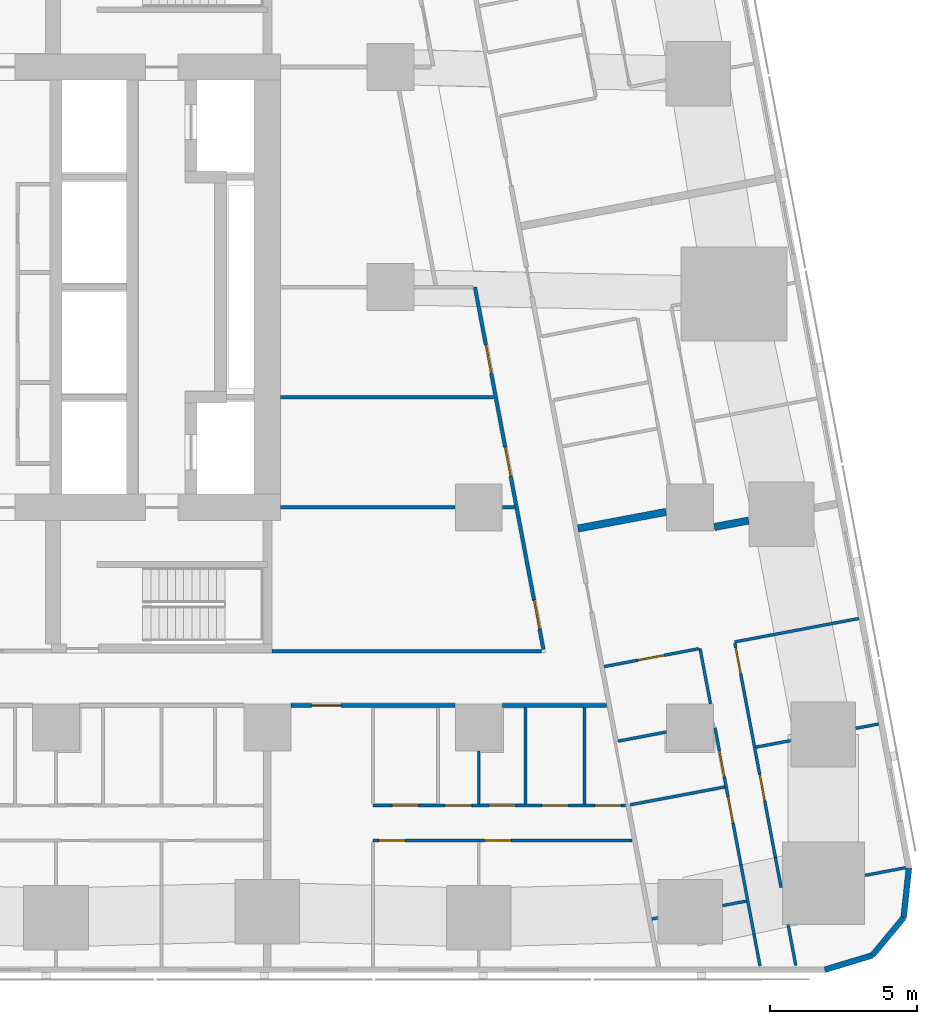
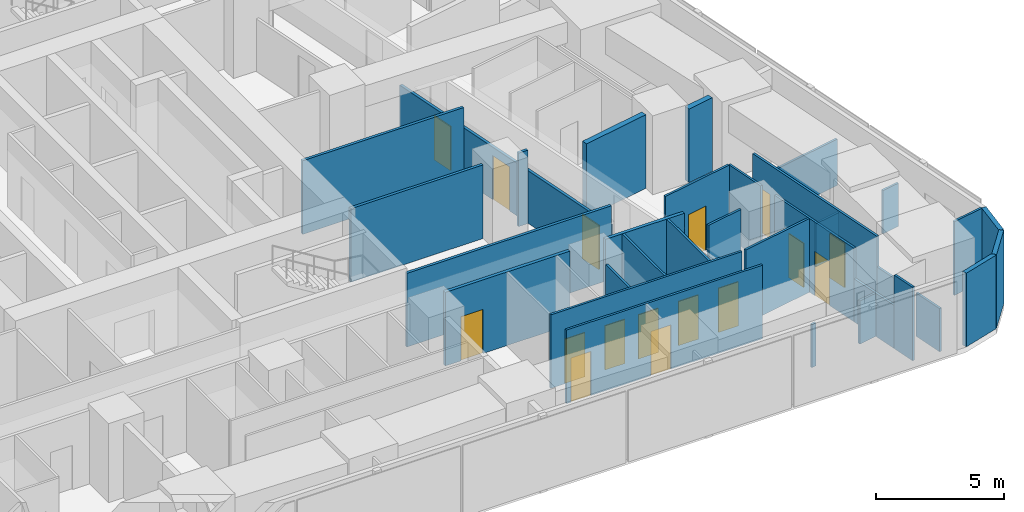
# One storey, part 6 of 15: 33 walls, 16 doors, 16 openings.
"""IFC4 building model written with IfcOpenShell, lengths in metres."""

from ifc_helpers import new_model, si_unit, direction, frame, frame_2d, origin, place, context, subcontext, project, spatial, rectangle, extrude, material, layer, layer_set, type_object, element, fill, save


model = new_model("IFC4")

# Units and contexts
model_context = context("Model", 3, precision=1e-05, world=origin(), true_north=direction((0.0, 1.0)))
body_context = subcontext(model_context, "Body", "Model", "MODEL_VIEW")
ifc_project = project(units=[si_unit("LENGTHUNIT", "METRE"), si_unit("AREAUNIT", "SQUARE_METRE"), si_unit("VOLUMEUNIT", "CUBIC_METRE"), si_unit("PLANEANGLEUNIT", "RADIAN"), si_unit("MASSUNIT", "GRAM", prefix="KILO")], contexts=[model_context])

# Site, building, storey
site_placement = place(None, origin())
site = spatial("IfcSite", under=ifc_project, at=site_placement, CompositionType="ELEMENT")
building_placement = place(site_placement, origin())
building = spatial("IfcBuilding", under=site, at=building_placement, Name="Sheger Commons Tower", CompositionType="ELEMENT")
storey_placement = place(building_placement, frame((0.0, 0.0, 81.64990234375)))
storey = spatial("IfcBuildingStorey", under=building, at=storey_placement, Name="L20", CompositionType="ELEMENT", Elevation=81.64990234375)

# Wall
ifc_material_1 = material(Name="Hollow concrete block masonry, skimmed both sides", Category="masonry")
ifc_layer_1 = layer(ifc_material_1, 0.14990234375)
ifc_layer_set_1 = layer_set([ifc_layer_1], Name="CORRIDOR WALL 150")
wall_type_1 = type_object("IfcWallType", Name="CORRIDOR WALL 150", PredefinedType="SOLIDWALL", material=ifc_layer_set_1)
wall_1_placement = place(storey_placement, frame((40.35595703125, 8.25, 0.0), z_axis=(0.0, 0.0, 1.0), x_axis=(-1.0, 0.0, 0.0)))
element("IfcWall", 1, at=wall_1_placement, inside=storey, type_object=wall_type_1, Name="Corridor wall L20", PredefinedType="SOLIDWALL", context=body_context, shape_type="SweptSolid", body=[
    extrude(rectangle(XDim=3.554931640625, YDim=0.14990234375, at=frame_2d((1.77734375, 0.0))), origin(), (0.0, 0.0, 1.0), 3.5),
])

# Wall, opening, door
wall_2_placement = place(storey_placement, frame((35.198974609375, 8.25, 0.0), z_axis=(0.0, 0.0, 1.0), x_axis=(-1.0, 0.0, 0.0)))
wall_2 = element("IfcWall", 2, at=wall_2_placement, inside=storey, type_object=wall_type_1, Name="Corridor wall L20", PredefinedType="SOLIDWALL", context=body_context, shape_type="SweptSolid", body=[
    extrude(rectangle(XDim=5.597900390625, YDim=0.14990234375, at=frame_2d((2.798828125, 0.0))), origin(), (0.0, 0.0, 1.0), 3.5),
])
opening_1_placement = place(wall_2_placement, frame((3.89892578125, 0.0, 0.0)))
opening_1 = element("IfcOpeningElement", 3, at=opening_1_placement, cuts=wall_2, Name="Opening D1", PredefinedType="OPENING", context=body_context, shape_type="SweptSolid", body=[
    extrude(rectangle(XDim=1.0, YDim=2.10009765625, at=frame_2d((0.5, 1.050048828125))), frame((0.0, 0.0849609375, 0.0), z_axis=(0.0, -1.0, 0.0), x_axis=(1.0, 0.0, 0.0)), (0.0, 0.0, 1.0), 0.169921875),
])
ifc_material_2 = material(Name="Steel door set, fire rated", Category="steel")
door_type_1 = type_object("IfcDoorType", Name="FLAT ENTRANCE DOOR 1000x2100", OperationType="NOTDEFINED", PredefinedType="DOOR", material=ifc_material_2)
door_1_placement = place(opening_1_placement, origin())
door_1 = element("IfcDoor", 4, at=door_1_placement, inside=storey, type_object=door_type_1, Name="Flat entrance door", OperationType="SINGLE_SWING_RIGHT", OverallHeight=2.10009765625, OverallWidth=1.0, PredefinedType="DOOR", context=body_context, shape_type="SweptSolid", body=[
    extrude(rectangle(XDim=1.0, YDim=2.10009765625, at=frame_2d((0.5, 1.050048828125))), frame((0.0, 0.02490234375, 0.0), z_axis=(0.0, -1.0, 0.0), x_axis=(1.0, 0.0, 0.0)), (0.0, 0.0, 1.0), 0.050048828125),
])
fill(opening_1, door_1)

# Walls
ifc_material_3 = material(Name="Dense concrete block masonry, plastered both sides (separating wall between flats)", Category="masonry")
ifc_layer_2 = layer(ifc_material_3, 0.25)
ifc_layer_set_2 = layer_set([ifc_layer_2], Name="DEMISING WALL 250")
wall_type_2 = type_object("IfcWallType", Name="DEMISING WALL 250", PredefinedType="SOLIDWALL", material=ifc_layer_set_2)
wall_3_placement = place(storey_placement, frame((45.18994140625, 14.550048828125, 0.0), z_axis=(0.0, 0.0, 1.0), x_axis=(-0.982666604435, -0.185381618634, 0.0)))
element("IfcWall", 5, at=wall_3_placement, inside=storey, type_object=wall_type_2, Name="Demising wall L20", PredefinedType="SOLIDWALL", context=body_context, shape_type="SweptSolid", body=[
    extrude(rectangle(XDim=1.1865234375, YDim=0.25, at=frame_2d((0.59326171875, 0.0))), origin(), (0.0, 0.0, 1.0), 3.5),
])
wall_4_placement = place(storey_placement, frame((42.3759765625, 14.843994140625, 0.0), z_axis=(0.0, 0.0, 1.0), x_axis=(-0.982636286056, -0.185542257522, 0.0)))
element("IfcWall", 6, at=wall_4_placement, inside=storey, type_object=wall_type_2, Name="Demising wall L20", PredefinedType="SOLIDWALL", context=body_context, shape_type="SweptSolid", body=[
    extrude(rectangle(XDim=3.044921875, YDim=0.25, at=frame_2d((1.5224609375, 0.0))), origin(), (0.0, 0.0, 1.0), 3.5),
])
ifc_material_4 = material(Name="Rendered concrete block masonry, dark grey", Category="masonry")
ifc_layer_3 = layer(ifc_material_4, 0.199951171875)
ifc_layer_set_3 = layer_set([ifc_layer_3], Name="FACADE WALL 200")
wall_type_3 = type_object("IfcWallType", Name="FACADE WALL 200", PredefinedType="SOLIDWALL", material=ifc_layer_set_3)
wall_5_placement = place(storey_placement, frame((47.791015625, -0.75, 0.0), z_axis=(0.0, 0.0, 1.0), x_axis=(0.957455232626, 0.288581838509, 0.0)))
element("IfcWall", 7, at=wall_5_placement, inside=storey, type_object=wall_type_3, Name="Facade wall L20", PredefinedType="SOLIDWALL", context=body_context, shape_type="SweptSolid", body=[
    extrude(rectangle(XDim=1.687744140625, YDim=0.199951171875, at=frame_2d((0.84375, 0.0))), origin(), (0.0, 0.0, 1.0), 3.5),
])
wall_6_placement = place(storey_placement, frame((49.406982421875, -0.262939453125, 0.0), z_axis=(0.0, 0.0, 1.0), x_axis=(0.638042593423, 0.770001070764, 0.0)))
element("IfcWall", 8, at=wall_6_placement, inside=storey, type_object=wall_type_3, Name="Facade wall L20", PredefinedType="SOLIDWALL", context=body_context, shape_type="SweptSolid", body=[
    extrude(rectangle(XDim=1.672607421875, YDim=0.199951171875, at=frame_2d((0.83642578125, 0.0))), origin(), (0.0, 0.0, 1.0), 3.5),
])
wall_7_placement = place(storey_placement, frame((50.47412109375, 1.02490234375, 0.0), z_axis=(0.0, 0.0, 1.0), x_axis=(0.106047815515, 0.994361031429, 0.0)))
element("IfcWall", 9, at=wall_7_placement, inside=storey, type_object=wall_type_3, Name="Facade wall L20", PredefinedType="SOLIDWALL", context=body_context, shape_type="SweptSolid", body=[
    extrude(rectangle(XDim=1.6875, YDim=0.199951171875, at=frame_2d((0.84375, 0.0))), origin(), (0.0, 0.0, 1.0), 3.5),
])

# Wall, openings, doors
ifc_material_5 = material(Name="Gypsum board on steel studs", Category="steel")
ifc_layer_4 = layer(ifc_material_5, 0.10009765625)
ifc_layer_set_4 = layer_set([ifc_layer_4], Name="PARTITION 100")
wall_type_4 = type_object("IfcWallType", Name="PARTITION 100", PredefinedType="PARTITIONING", material=ifc_layer_set_4)
wall_8_placement = place(storey_placement, frame((41.22900390625, 3.64990234375, 0.0), z_axis=(0.0, 0.0, 1.0), x_axis=(-1.0, 0.0, 0.0)))
wall_8 = element("IfcWall", 10, at=wall_8_placement, inside=storey, type_object=wall_type_4, Name="Partition L20", PredefinedType="PARTITIONING", context=body_context, shape_type="SweptSolid", body=[
    extrude(rectangle(XDim=8.8291015625, YDim=0.10009765625, at=frame_2d((4.41455078125, 0.0))), origin(), (0.0, 0.0, 1.0), 3.5),
])
opening_2_placement = place(wall_8_placement, frame((7.72900390625, 0.0, 0.0)))
opening_2 = element("IfcOpeningElement", 11, at=opening_2_placement, cuts=wall_8, Name="Opening D2", PredefinedType="OPENING", context=body_context, shape_type="SweptSolid", body=[
    extrude(rectangle(XDim=0.89990234375, YDim=2.10009765625, at=frame_2d((0.449951171875, 1.050048828125))), frame((0.0, 0.06005859375, 0.0), z_axis=(0.0, -1.0, 0.0), x_axis=(1.0, 0.0, 0.0)), (0.0, 0.0, 1.0), 0.1201171875),
])
opening_3_placement = place(wall_8_placement, frame((4.12890625, 0.0, 0.0)))
opening_3 = element("IfcOpeningElement", 12, at=opening_3_placement, cuts=wall_8, Name="Opening D2", PredefinedType="OPENING", context=body_context, shape_type="SweptSolid", body=[
    extrude(rectangle(XDim=0.89990234375, YDim=2.10009765625, at=frame_2d((0.449951171875, 1.050048828125))), frame((0.0, 0.06005859375, 0.0), z_axis=(0.0, -1.0, 0.0), x_axis=(1.0, 0.0, 0.0)), (0.0, 0.0, 1.0), 0.1201171875),
])
ifc_material_6 = material(Name="Timber door set", Category="wood")
door_type_2 = type_object("IfcDoorType", Name="INTERNAL DOOR 900x2100", OperationType="NOTDEFINED", PredefinedType="DOOR", material=ifc_material_6)
door_2_placement = place(opening_2_placement, origin())
door_2 = element("IfcDoor", 13, at=door_2_placement, inside=storey, type_object=door_type_2, Name="Main bedroom door", OperationType="SINGLE_SWING_RIGHT", OverallHeight=2.10009765625, OverallWidth=0.89990234375, PredefinedType="DOOR", context=body_context, shape_type="SweptSolid", body=[
    extrude(rectangle(XDim=0.89990234375, YDim=2.10009765625, at=frame_2d((0.449951171875, 1.050048828125))), frame((0.0, 0.02490234375, 0.0), z_axis=(0.0, -1.0, 0.0), x_axis=(1.0, 0.0, 0.0)), (0.0, 0.0, 1.0), 0.050048828125),
])
fill(opening_2, door_2)
door_3_placement = place(opening_3_placement, origin())
door_3 = element("IfcDoor", 14, at=door_3_placement, inside=storey, type_object=door_type_2, Name="Bedroom 2 door", OperationType="SINGLE_SWING_RIGHT", OverallHeight=2.10009765625, OverallWidth=0.89990234375, PredefinedType="DOOR", context=body_context, shape_type="SweptSolid", body=[
    extrude(rectangle(XDim=0.89990234375, YDim=2.10009765625, at=frame_2d((0.449951171875, 1.050048828125))), frame((0.0, 0.02490234375, 0.0), z_axis=(0.0, -1.0, 0.0), x_axis=(1.0, 0.0, 0.0)), (0.0, 0.0, 1.0), 0.050048828125),
])
fill(opening_3, door_3)

wall_9_placement = place(storey_placement, frame((41.001953125, 4.85009765625, 0.0), z_axis=(0.0, 0.0, 1.0), x_axis=(-1.0, 0.0, 0.0)))
wall_9 = element("IfcWall", 15, at=wall_9_placement, inside=storey, type_object=wall_type_4, Name="Partition L20", PredefinedType="PARTITIONING", context=body_context, shape_type="SweptSolid", body=[
    extrude(rectangle(XDim=8.60205078125, YDim=0.10009765625, at=frame_2d((4.301025390625, 0.0))), origin(), (0.0, 0.0, 1.0), 3.5),
])
opening_4_placement = place(wall_9_placement, frame((7.047119140625, 0.0, 0.0)))
opening_4 = element("IfcOpeningElement", 16, at=opening_4_placement, cuts=wall_9, Name="Opening D2", PredefinedType="OPENING", context=body_context, shape_type="SweptSolid", body=[
    extrude(rectangle(XDim=0.89990234375, YDim=2.10009765625, at=frame_2d((0.449951171875, 1.050048828125))), frame((0.0, 0.06005859375, 0.0), z_axis=(0.0, -1.0, 0.0), x_axis=(1.0, 0.0, 0.0)), (0.0, 0.0, 1.0), 0.1201171875),
])
opening_5_placement = place(wall_9_placement, frame((3.751953125, 0.0, 0.0)))
opening_5 = element("IfcOpeningElement", 17, at=opening_5_placement, cuts=wall_9, Name="Opening D2", PredefinedType="OPENING", context=body_context, shape_type="SweptSolid", body=[
    extrude(rectangle(XDim=0.89990234375, YDim=2.10009765625, at=frame_2d((0.449951171875, 1.050048828125))), frame((0.0, 0.06005859375, 0.0), z_axis=(0.0, -1.0, 0.0), x_axis=(1.0, 0.0, 0.0)), (0.0, 0.0, 1.0), 0.1201171875),
])
opening_6_placement = place(wall_9_placement, frame((0.14990234375, 0.0, 0.0)))
opening_6 = element("IfcOpeningElement", 18, at=opening_6_placement, cuts=wall_9, Name="Opening D2", PredefinedType="OPENING", context=body_context, shape_type="SweptSolid", body=[
    extrude(rectangle(XDim=0.89990234375, YDim=2.10009765625, at=frame_2d((0.449951171875, 1.050048828125))), frame((0.0, 0.06005859375, 0.0), z_axis=(0.0, -1.0, 0.0), x_axis=(1.0, 0.0, 0.0)), (0.0, 0.0, 1.0), 0.1201171875),
])
opening_7_placement = place(wall_9_placement, frame((5.2470703125, 0.0, 0.0)))
opening_7 = element("IfcOpeningElement", 19, at=opening_7_placement, cuts=wall_9, Name="Opening D2", PredefinedType="OPENING", context=body_context, shape_type="SweptSolid", body=[
    extrude(rectangle(XDim=0.89990234375, YDim=2.10009765625, at=frame_2d((0.449951171875, 1.050048828125))), frame((0.0, 0.06005859375, 0.0), z_axis=(0.0, -1.0, 0.0), x_axis=(1.0, 0.0, 0.0)), (0.0, 0.0, 1.0), 0.1201171875),
])
opening_8_placement = place(wall_9_placement, frame((1.951904296875, 0.0, 0.0)))
opening_8 = element("IfcOpeningElement", 20, at=opening_8_placement, cuts=wall_9, Name="Opening D2", PredefinedType="OPENING", context=body_context, shape_type="SweptSolid", body=[
    extrude(rectangle(XDim=0.89990234375, YDim=2.10009765625, at=frame_2d((0.449951171875, 1.050048828125))), frame((0.0, 0.06005859375, 0.0), z_axis=(0.0, -1.0, 0.0), x_axis=(1.0, 0.0, 0.0)), (0.0, 0.0, 1.0), 0.1201171875),
])
door_4_placement = place(opening_4_placement, origin())
door_4 = element("IfcDoor", 21, at=door_4_placement, inside=storey, type_object=door_type_2, Name="Bathroom door", OperationType="SINGLE_SWING_LEFT", OverallHeight=2.10009765625, OverallWidth=0.89990234375, PredefinedType="DOOR", context=body_context, shape_type="SweptSolid", body=[
    extrude(rectangle(XDim=0.89990234375, YDim=2.10009765625, at=frame_2d((0.449951171875, 1.050048828125))), frame((0.0, 0.02490234375, 0.0), z_axis=(0.0, -1.0, 0.0), x_axis=(1.0, 0.0, 0.0)), (0.0, 0.0, 1.0), 0.050048828125),
])
fill(opening_4, door_4)
door_5_placement = place(opening_5_placement, origin())
door_5 = element("IfcDoor", 22, at=door_5_placement, inside=storey, type_object=door_type_2, Name="Shower room door", OperationType="SINGLE_SWING_LEFT", OverallHeight=2.10009765625, OverallWidth=0.89990234375, PredefinedType="DOOR", context=body_context, shape_type="SweptSolid", body=[
    extrude(rectangle(XDim=0.89990234375, YDim=2.10009765625, at=frame_2d((0.449951171875, 1.050048828125))), frame((0.0, 0.02490234375, 0.0), z_axis=(0.0, -1.0, 0.0), x_axis=(1.0, 0.0, 0.0)), (0.0, 0.0, 1.0), 0.050048828125),
])
fill(opening_5, door_5)
door_6_placement = place(opening_6_placement, origin())
door_6 = element("IfcDoor", 23, at=door_6_placement, inside=storey, type_object=door_type_2, Name="Laundry room door", OperationType="SINGLE_SWING_RIGHT", OverallHeight=2.10009765625, OverallWidth=0.89990234375, PredefinedType="DOOR", context=body_context, shape_type="SweptSolid", body=[
    extrude(rectangle(XDim=0.89990234375, YDim=2.10009765625, at=frame_2d((0.449951171875, 1.050048828125))), frame((0.0, 0.02490234375, 0.0), z_axis=(0.0, -1.0, 0.0), x_axis=(1.0, 0.0, 0.0)), (0.0, 0.0, 1.0), 0.050048828125),
])
fill(opening_6, door_6)
door_7_placement = place(opening_7_placement, origin())
door_7 = element("IfcDoor", 24, at=door_7_placement, inside=storey, type_object=door_type_2, Name="Store door", OperationType="SINGLE_SWING_RIGHT", OverallHeight=2.10009765625, OverallWidth=0.89990234375, PredefinedType="DOOR", context=body_context, shape_type="SweptSolid", body=[
    extrude(rectangle(XDim=0.89990234375, YDim=2.10009765625, at=frame_2d((0.449951171875, 1.050048828125))), frame((0.0, 0.02490234375, 0.0), z_axis=(0.0, -1.0, 0.0), x_axis=(1.0, 0.0, 0.0)), (0.0, 0.0, 1.0), 0.050048828125),
])
fill(opening_7, door_7)
door_8_placement = place(opening_8_placement, origin())
door_8 = element("IfcDoor", 25, at=door_8_placement, inside=storey, type_object=door_type_2, Name="Store door", OperationType="SINGLE_SWING_RIGHT", OverallHeight=2.10009765625, OverallWidth=0.89990234375, PredefinedType="DOOR", context=body_context, shape_type="SweptSolid", body=[
    extrude(rectangle(XDim=0.89990234375, YDim=2.10009765625, at=frame_2d((0.449951171875, 1.050048828125))), frame((0.0, 0.02490234375, 0.0), z_axis=(0.0, -1.0, 0.0), x_axis=(1.0, 0.0, 0.0)), (0.0, 0.0, 1.0), 0.050048828125),
])
fill(opening_8, door_8)

# Walls
wall_10_placement = place(storey_placement, frame((36.0, 4.89990234375, 0.0), z_axis=(0.0, 0.0, 1.0), x_axis=(0.0, 1.0, 0.0)))
element("IfcWall", 26, at=wall_10_placement, inside=storey, type_object=wall_type_4, Name="Partition L20", PredefinedType="PARTITIONING", context=body_context, shape_type="SweptSolid", body=[
    extrude(rectangle(XDim=1.799072265625, YDim=0.10009765625, at=frame_2d((0.8994140625, 0.0))), origin(), (0.0, 0.0, 1.0), 3.5),
])
for number, where, z_axis, x_axis, name in (
    (27, (39.60009765625, 4.89990234375, 0.0), (0.0, 0.0, 1.0), (0.0, 1.0, 0.0), "Partition L20"),
    (28, (37.60009765625, 4.89990234375, 0.0), (0.0, 0.0, 1.0), (0.0, 1.0, 0.0), "Partition L20"),
):
    element("IfcWall", number, at=place(storey_placement, frame(where, z_axis=z_axis, x_axis=x_axis)), inside=storey, type_object=wall_type_4, Name=name, PredefinedType="PARTITIONING", context=body_context, shape_type="SweptSolid", body=[
        extrude(rectangle(XDim=3.275146484375, YDim=0.10009765625, at=frame_2d((1.6376953125, 0.0))), origin(), (0.0, 0.0, 1.0), 3.5),
    ])

# Wall, openings, doors
wall_11_placement = place(storey_placement, frame((44.72705078125, 10.365966796875, 0.0), z_axis=(0.0, 0.0, 1.0), x_axis=(0.185678775129, -0.982610498858, 0.0)))
wall_11 = element("IfcWall", 29, at=wall_11_placement, inside=storey, type_object=wall_type_4, Name="Partition L20", PredefinedType="PARTITIONING", context=body_context, shape_type="SweptSolid", body=[
    extrude(rectangle(XDim=7.421142578125, YDim=0.10009765625, at=frame_2d((3.71044921875, 0.0))), origin(), (0.0, 0.0, 1.0), 3.5),
])
opening_9_placement = place(wall_11_placement, frame((0.15087890625, 0.0, 0.0)))
opening_9 = element("IfcOpeningElement", 30, at=opening_9_placement, cuts=wall_11, Name="Opening D2", PredefinedType="OPENING", context=body_context, shape_type="SweptSolid", body=[
    extrude(rectangle(XDim=0.89990234375, YDim=2.10009765625, at=frame_2d((0.449951171875, 1.050048828125))), frame((0.0, 0.06005859375, 0.0), z_axis=(0.0, -1.0, 0.0), x_axis=(1.0, 0.0, 0.0)), (0.0, 0.0, 1.0), 0.1201171875),
])
opening_10_placement = place(wall_11_placement, frame((4.550048828125, 0.0, 0.0)))
opening_10 = element("IfcOpeningElement", 31, at=opening_10_placement, cuts=wall_11, Name="Opening D2", PredefinedType="OPENING", context=body_context, shape_type="SweptSolid", body=[
    extrude(rectangle(XDim=0.89990234375, YDim=2.10009765625, at=frame_2d((0.449951171875, 1.050048828125))), frame((0.0, 0.06005859375, 0.0), z_axis=(0.0, -1.0, 0.0), x_axis=(1.0, 0.0, 0.0)), (0.0, 0.0, 1.0), 0.1201171875),
])
door_9_placement = place(opening_9_placement, origin())
door_9 = element("IfcDoor", 32, at=door_9_placement, inside=storey, type_object=door_type_2, Name="Main bedroom door", OperationType="SINGLE_SWING_LEFT", OverallHeight=2.10009765625, OverallWidth=0.89990234375, PredefinedType="DOOR", context=body_context, shape_type="SweptSolid", body=[
    extrude(rectangle(XDim=0.89990234375, YDim=2.10009765625, at=frame_2d((0.449951171875, 1.050048828125))), frame((0.0, 0.02490234375, 0.0), z_axis=(0.0, -1.0, 0.0), x_axis=(1.0, 0.0, 0.0)), (0.0, 0.0, 1.0), 0.050048828125),
])
fill(opening_9, door_9)
door_10_placement = place(opening_10_placement, origin())
door_10 = element("IfcDoor", 33, at=door_10_placement, inside=storey, type_object=door_type_2, Name="Bedroom 2 door", OperationType="SINGLE_SWING_LEFT", OverallHeight=2.10009765625, OverallWidth=0.89990234375, PredefinedType="DOOR", context=body_context, shape_type="SweptSolid", body=[
    extrude(rectangle(XDim=0.89990234375, YDim=2.10009765625, at=frame_2d((0.449951171875, 1.050048828125))), frame((0.0, 0.02490234375, 0.0), z_axis=(0.0, -1.0, 0.0), x_axis=(1.0, 0.0, 0.0)), (0.0, 0.0, 1.0), 0.050048828125),
])
fill(opening_10, door_10)

# Walls
wall_12_placement = place(storey_placement, frame((46.10498046875, 3.073974609375, 0.0), z_axis=(0.0, 0.0, 1.0), x_axis=(0.185897769544, -0.982569091351, 0.0)))
element("IfcWall", 34, at=wall_12_placement, inside=storey, type_object=wall_type_4, Name="Partition L20", PredefinedType="PARTITIONING", context=body_context, shape_type="SweptSolid", body=[
    extrude(rectangle(XDim=1.044189453125, YDim=0.10009765625, at=frame_2d((0.52197265625, 0.0))), origin(), (0.0, 0.0, 1.0), 2.050048828125),
])
wall_13_placement = place(storey_placement, frame((46.537109375, 0.787109375, 0.0), z_axis=(0.0, 0.0, 1.0), x_axis=(0.185348284603, -0.982672892368, 0.0)))
element("IfcWall", 35, at=wall_13_placement, inside=storey, type_object=wall_type_4, Name="Partition L20", PredefinedType="PARTITIONING", context=body_context, shape_type="SweptSolid", body=[
    extrude(rectangle(XDim=1.418701171875, YDim=0.10009765625, at=frame_2d((0.70947265625, 0.0))), origin(), (0.0, 0.0, 1.0), 2.050048828125),
])
wall_14_placement = place(storey_placement, frame((43.5390625, 10.19189453125, 0.0), z_axis=(0.0, 0.0, 1.0), x_axis=(0.185366049966, -0.982669541362, 0.0)))
element("IfcWall", 36, at=wall_14_placement, inside=storey, type_object=wall_type_4, Name="Partition L20", PredefinedType="PARTITIONING", context=body_context, shape_type="SweptSolid", body=[
    extrude(rectangle(XDim=1.9150390625, YDim=0.10009765625, at=frame_2d((0.95751953125, 0.0))), origin(), (0.0, 0.0, 1.0), 3.5),
])

# Wall, openings, doors
wall_15_placement = place(storey_placement, frame((44.049072265625, 7.489990234375, 0.0), z_axis=(0.0, 0.0, 1.0), x_axis=(0.185666332607, -0.982612849975, 0.0)))
wall_15 = element("IfcWall", 37, at=wall_15_placement, inside=storey, type_object=wall_type_4, Name="Partition L20", PredefinedType="PARTITIONING", context=body_context, shape_type="SweptSolid", body=[
    extrude(rectangle(XDim=4.74951171875, YDim=0.10009765625, at=frame_2d((2.374755859375, 0.0))), origin(), (0.0, 0.0, 1.0), 3.5),
])
opening_11_placement = place(wall_15_placement, frame((0.800048828125, 0.0, 0.0)))
opening_11 = element("IfcOpeningElement", 38, at=opening_11_placement, cuts=wall_15, Name="Opening D2", PredefinedType="OPENING", context=body_context, shape_type="SweptSolid", body=[
    extrude(rectangle(XDim=0.89990234375, YDim=2.10009765625, at=frame_2d((0.449951171875, 1.050048828125))), frame((0.0, 0.06005859375, 0.0), z_axis=(0.0, -1.0, 0.0), x_axis=(1.0, 0.0, 0.0)), (0.0, 0.0, 1.0), 0.1201171875),
])
opening_12_placement = place(wall_15_placement, frame((2.39599609375, 0.0, 0.0)))
opening_12 = element("IfcOpeningElement", 39, at=opening_12_placement, cuts=wall_15, Name="Opening D2", PredefinedType="OPENING", context=body_context, shape_type="SweptSolid", body=[
    extrude(rectangle(XDim=0.89990234375, YDim=2.10009765625, at=frame_2d((0.449951171875, 1.050048828125))), frame((0.0, 0.06005859375, 0.0), z_axis=(0.0, -1.0, 0.0), x_axis=(1.0, 0.0, 0.0)), (0.0, 0.0, 1.0), 0.1201171875),
])
door_11_placement = place(opening_11_placement, origin())
door_11 = element("IfcDoor", 40, at=door_11_placement, inside=storey, type_object=door_type_2, Name="Bathroom door", OperationType="SINGLE_SWING_LEFT", OverallHeight=2.10009765625, OverallWidth=0.89990234375, PredefinedType="DOOR", context=body_context, shape_type="SweptSolid", body=[
    extrude(rectangle(XDim=0.89990234375, YDim=2.10009765625, at=frame_2d((0.449951171875, 1.050048828125))), frame((0.0, 0.02490234375, 0.0), z_axis=(0.0, -1.0, 0.0), x_axis=(1.0, 0.0, 0.0)), (0.0, 0.0, 1.0), 0.050048828125),
])
fill(opening_11, door_11)
door_12_placement = place(opening_12_placement, origin())
door_12 = element("IfcDoor", 41, at=door_12_placement, inside=storey, type_object=door_type_2, Name="Store door", OperationType="SINGLE_SWING_RIGHT", OverallHeight=2.10009765625, OverallWidth=0.89990234375, PredefinedType="DOOR", context=body_context, shape_type="SweptSolid", body=[
    extrude(rectangle(XDim=0.89990234375, YDim=2.10009765625, at=frame_2d((0.449951171875, 1.050048828125))), frame((0.0, 0.02490234375, 0.0), z_axis=(0.0, -1.0, 0.0), x_axis=(1.0, 0.0, 0.0)), (0.0, 0.0, 1.0), 0.050048828125),
])
fill(opening_12, door_12)

# Walls
wall_16_placement = place(storey_placement, frame((44.930908203125, 2.822998046875, 0.0), z_axis=(0.0, 0.0, 1.0), x_axis=(0.185631845838, -0.982619365681, 0.0)))
element("IfcWall", 42, at=wall_16_placement, inside=storey, type_object=wall_type_4, Name="Partition L20", PredefinedType="PARTITIONING", context=body_context, shape_type="SweptSolid", body=[
    extrude(rectangle(XDim=2.40283203125, YDim=0.10009765625, at=frame_2d((1.201416015625, 0.0))), origin(), (0.0, 0.0, 1.0), 2.050048828125),
])
wall_17_placement = place(storey_placement, frame((45.376953125, 0.4619140625, 0.0), z_axis=(0.0, 0.0, 1.0), x_axis=(0.185513480919, -0.982641719243, 0.0)))
element("IfcWall", 43, at=wall_17_placement, inside=storey, type_object=wall_type_4, Name="Partition L20", PredefinedType="PARTITIONING", context=body_context, shape_type="SweptSolid", body=[
    extrude(rectangle(XDim=1.094970703125, YDim=0.10009765625, at=frame_2d((0.54736328125, 0.0))), origin(), (0.0, 0.0, 1.0), 3.5),
])
wall_18_placement = place(storey_placement, frame((48.943115234375, 11.212890625, 0.0), z_axis=(0.0, 0.0, 1.0), x_axis=(-0.982633535512, -0.185556823879, 0.0)))
element("IfcWall", 44, at=wall_18_placement, inside=storey, type_object=wall_type_4, Name="Partition L20", PredefinedType="PARTITIONING", context=body_context, shape_type="SweptSolid", body=[
    extrude(rectangle(XDim=4.2998046875, YDim=0.10009765625, at=frame_2d((2.14990234375, 0.0))), origin(), (0.0, 0.0, 1.0), 2.2001953125),
])
wall_19_placement = place(storey_placement, frame((49.6220703125, 7.6201171875, 0.0), z_axis=(0.0, 0.0, 1.0), x_axis=(-0.982512656401, -0.186195810938, 0.0)))
element("IfcWall", 45, at=wall_19_placement, inside=storey, type_object=wall_type_4, Name="Partition L20", PredefinedType="PARTITIONING", context=body_context, shape_type="SweptSolid", body=[
    extrude(rectangle(XDim=0.7958984375, YDim=0.10009765625, at=frame_2d((0.39794921875, 0.0))), origin(), (0.0, 0.0, 1.0), 2.050048828125),
])
wall_20_placement = place(storey_placement, frame((46.6201171875, 7.052978515625, 0.0), z_axis=(0.0, 0.0, 1.0), x_axis=(-0.982749355621, -0.18494243436, 0.0)))
element("IfcWall", 46, at=wall_20_placement, inside=storey, type_object=wall_type_4, Name="Partition L20", PredefinedType="PARTITIONING", context=body_context, shape_type="SweptSolid", body=[
    extrude(rectangle(XDim=1.194580078125, YDim=0.10009765625, at=frame_2d((0.59716796875, 0.0))), origin(), (0.0, 0.0, 1.0), 2.050048828125),
])
wall_21_placement = place(storey_placement, frame((50.547119140625, 2.72607421875, 0.0), z_axis=(0.0, 0.0, 1.0), x_axis=(-0.982680053146, -0.185310315822, 0.0)))
element("IfcWall", 47, at=wall_21_placement, inside=storey, type_object=wall_type_4, Name="Partition L20", PredefinedType="PARTITIONING", context=body_context, shape_type="SweptSolid", body=[
    extrude(rectangle(XDim=1.41357421875, YDim=0.10009765625, at=frame_2d((0.706787109375, 0.0))), origin(), (0.0, 0.0, 1.0), 3.5),
])

# Wall, opening, door
wall_22_placement = place(storey_placement, frame((43.489990234375, 10.18310546875, 0.0), z_axis=(0.0, 0.0, 1.0), x_axis=(-0.982607026909, -0.185697147715, 0.0)))
wall_22 = element("IfcWall", 48, at=wall_22_placement, inside=storey, type_object=wall_type_4, Name="Partition L20", PredefinedType="PARTITIONING", context=body_context, shape_type="SweptSolid", body=[
    extrude(rectangle(XDim=3.27490234375, YDim=0.10009765625, at=frame_2d((1.637451171875, 0.0))), origin(), (0.0, 0.0, 1.0), 3.5),
])
opening_13_placement = place(wall_22_placement, frame((1.199951171875, 0.0, 0.0)))
opening_13 = element("IfcOpeningElement", 49, at=opening_13_placement, cuts=wall_22, Name="Opening D2", PredefinedType="OPENING", context=body_context, shape_type="SweptSolid", body=[
    extrude(rectangle(XDim=0.89990234375, YDim=2.10009765625, at=frame_2d((0.449951171875, 1.050048828125))), frame((0.0, 0.06005859375, 0.0), z_axis=(0.0, -1.0, 0.0), x_axis=(1.0, 0.0, 0.0)), (0.0, 0.0, 1.0), 0.1201171875),
])
door_13_placement = place(opening_13_placement, origin())
door_13 = element("IfcDoor", 50, at=door_13_placement, inside=storey, type_object=door_type_2, Name="Store door", OperationType="SINGLE_SWING_RIGHT", OverallHeight=2.10009765625, OverallWidth=0.89990234375, PredefinedType="DOOR", context=body_context, shape_type="SweptSolid", body=[
    extrude(rectangle(XDim=0.89990234375, YDim=2.10009765625, at=frame_2d((0.449951171875, 1.050048828125))), frame((0.0, 0.02490234375, 0.0), z_axis=(0.0, -1.0, 0.0), x_axis=(1.0, 0.0, 0.0)), (0.0, 0.0, 1.0), 0.050048828125),
])
fill(opening_13, door_13)

# Walls
wall_23_placement = place(storey_placement, frame((42.389892578125, 7.347900390625, 0.0), z_axis=(0.0, 0.0, 1.0), x_axis=(-0.9825976927, -0.185746532405, 0.0)))
element("IfcWall", 51, at=wall_23_placement, inside=storey, type_object=wall_type_4, Name="Partition L20", PredefinedType="PARTITIONING", context=body_context, shape_type="SweptSolid", body=[
    extrude(rectangle(XDim=1.66796875, YDim=0.10009765625, at=frame_2d((0.833984375, 0.0))), origin(), (0.0, 0.0, 1.0), 3.5),
])
wall_24_placement = place(storey_placement, frame((45.114013671875, 1.5869140625, 0.0), z_axis=(0.0, 0.0, 1.0), x_axis=(-0.982624706348, -0.185603573443, 0.0)))
element("IfcWall", 52, at=wall_24_placement, inside=storey, type_object=wall_type_4, Name="Partition L20", PredefinedType="PARTITIONING", context=body_context, shape_type="SweptSolid", body=[
    extrude(rectangle(XDim=0.818115234375, YDim=0.10009765625, at=frame_2d((0.4091796875, 0.0))), origin(), (0.0, 0.0, 1.0), 2.050048828125),
])
wall_25_placement = place(storey_placement, frame((42.090087890625, 1.01611328125, 0.0), z_axis=(0.0, 0.0, 1.0), x_axis=(-0.982208563973, -0.187793335502, 0.0)))
element("IfcWall", 53, at=wall_25_placement, inside=storey, type_object=wall_type_4, Name="Partition L20", PredefinedType="PARTITIONING", context=body_context, shape_type="SweptSolid", body=[
    extrude(rectangle(XDim=0.197509765625, YDim=0.10009765625, at=frame_2d((0.0986328125, 0.0))), origin(), (0.0, 0.0, 1.0), 2.050048828125),
])
wall_26_placement = place(storey_placement, frame((44.37890625, 5.47412109375, 0.0), z_axis=(0.0, 0.0, 1.0), x_axis=(-0.982607026909, -0.185697147715, 0.0)))
element("IfcWall", 54, at=wall_26_placement, inside=storey, type_object=wall_type_4, Name="Partition L20", PredefinedType="PARTITIONING", context=body_context, shape_type="SweptSolid", body=[
    extrude(rectangle(XDim=3.27490234375, YDim=0.10009765625, at=frame_2d((1.637451171875, 0.0))), origin(), (0.0, 0.0, 1.0), 3.5),
])
ifc_material_7 = material(Name="Gypsum board on steel studs, two layers each side, fire rated", Category="steel")
ifc_layer_5 = layer(ifc_material_7, 0.125)
ifc_layer_set_5 = layer_set([ifc_layer_5], Name="SERVICE WALL 125")
wall_type_5 = type_object("IfcWallType", Name="SERVICE WALL 125", PredefinedType="PARTITIONING", material=ifc_layer_set_5)
wall_27_placement = place(storey_placement, frame((28.949951171875, 10.10009765625, 0.0), z_axis=(0.0, 0.0, 1.0), x_axis=(1.0, 0.0, 0.0)))
element("IfcWall", 55, at=wall_27_placement, inside=storey, type_object=wall_type_5, Name="Service room wall L20", PredefinedType="PARTITIONING", context=body_context, shape_type="SweptSolid", body=[
    extrude(rectangle(XDim=9.18798828125, YDim=0.125, at=frame_2d((4.593994140625, 0.0))), origin(), (0.0, 0.0, 1.0), 3.5),
])

# Wall, openings, doors
wall_28_placement = place(storey_placement, frame((38.201904296875, 10.1630859375, 0.0), z_axis=(0.0, 0.0, 1.0), x_axis=(-0.185645577403, 0.982616771479, 0.0)))
wall_28 = element("IfcWall", 56, at=wall_28_placement, inside=storey, type_object=wall_type_5, Name="Service room wall L20", PredefinedType="PARTITIONING", context=body_context, shape_type="SweptSolid", body=[
    extrude(rectangle(XDim=12.55517578125, YDim=0.125, at=frame_2d((6.277587890625, 0.0))), origin(), (0.0, 0.0, 1.0), 2.5),
])
opening_14_placement = place(wall_28_placement, frame((0.7080078125, 0.0, 0.0)))
opening_14 = element("IfcOpeningElement", 57, at=opening_14_placement, cuts=wall_28, Name="Opening D4", PredefinedType="OPENING", context=body_context, shape_type="SweptSolid", body=[
    extrude(rectangle(XDim=1.0, YDim=2.10009765625, at=frame_2d((0.5, 1.050048828125))), frame((0.0, 0.072509765625, 0.0), z_axis=(0.0, -1.0, 0.0), x_axis=(1.0, 0.0, 0.0)), (0.0, 0.0, 1.0), 0.14501953125),
])
opening_15_placement = place(wall_28_placement, frame((6.0, 0.0, 0.0)))
opening_15 = element("IfcOpeningElement", 58, at=opening_15_placement, cuts=wall_28, Name="Opening D4", PredefinedType="OPENING", context=body_context, shape_type="SweptSolid", body=[
    extrude(rectangle(XDim=1.0, YDim=2.10009765625, at=frame_2d((0.5, 1.050048828125))), frame((0.0, 0.072509765625, 0.0), z_axis=(0.0, -1.0, 0.0), x_axis=(1.0, 0.0, 0.0)), (0.0, 0.0, 1.0), 0.14501953125),
])
opening_16_placement = place(wall_28_placement, frame((9.56201171875, 0.0, 0.0)))
opening_16 = element("IfcOpeningElement", 59, at=opening_16_placement, cuts=wall_28, Name="Opening D4", PredefinedType="OPENING", context=body_context, shape_type="SweptSolid", body=[
    extrude(rectangle(XDim=1.0, YDim=2.10009765625, at=frame_2d((0.5, 1.050048828125))), frame((0.0, 0.072509765625, 0.0), z_axis=(0.0, -1.0, 0.0), x_axis=(1.0, 0.0, 0.0)), (0.0, 0.0, 1.0), 0.14501953125),
])
ifc_material_8 = material(Name="Steel door set, fire rated", Category="steel")
door_type_3 = type_object("IfcDoorType", Name="SERVICE DOOR 1000x2100", OperationType="NOTDEFINED", PredefinedType="DOOR", material=ifc_material_8)
door_14_placement = place(opening_14_placement, origin())
door_14 = element("IfcDoor", 60, at=door_14_placement, inside=storey, type_object=door_type_3, Name="Residents' study room door", OperationType="SINGLE_SWING_LEFT", OverallHeight=2.10009765625, OverallWidth=1.0, PredefinedType="DOOR", context=body_context, shape_type="SweptSolid", body=[
    extrude(rectangle(XDim=1.0, YDim=2.10009765625, at=frame_2d((0.5, 1.050048828125))), frame((0.0, 0.02490234375, 0.0), z_axis=(0.0, -1.0, 0.0), x_axis=(1.0, 0.0, 0.0)), (0.0, 0.0, 1.0), 0.050048828125),
])
fill(opening_14, door_14)
door_15_placement = place(opening_15_placement, origin())
door_15 = element("IfcDoor", 61, at=door_15_placement, inside=storey, type_object=door_type_3, Name="Residents' hobby room door", OperationType="SINGLE_SWING_LEFT", OverallHeight=2.10009765625, OverallWidth=1.0, PredefinedType="DOOR", context=body_context, shape_type="SweptSolid", body=[
    extrude(rectangle(XDim=1.0, YDim=2.10009765625, at=frame_2d((0.5, 1.050048828125))), frame((0.0, 0.02490234375, 0.0), z_axis=(0.0, -1.0, 0.0), x_axis=(1.0, 0.0, 0.0)), (0.0, 0.0, 1.0), 0.050048828125),
])
fill(opening_15, door_15)
door_16_placement = place(opening_16_placement, origin())
door_16 = element("IfcDoor", 62, at=door_16_placement, inside=storey, type_object=door_type_3, Name="Bicycle and pram store door", OperationType="SINGLE_SWING_LEFT", OverallHeight=2.10009765625, OverallWidth=1.0, PredefinedType="DOOR", context=body_context, shape_type="SweptSolid", body=[
    extrude(rectangle(XDim=1.0, YDim=2.10009765625, at=frame_2d((0.5, 1.050048828125))), frame((0.0, 0.02490234375, 0.0), z_axis=(0.0, -1.0, 0.0), x_axis=(1.0, 0.0, 0.0)), (0.0, 0.0, 1.0), 0.050048828125),
])
fill(opening_16, door_16)

# Walls
wall_29_placement = place(storey_placement, frame((29.25, 15.0, 0.0), z_axis=(0.0, 0.0, 1.0), x_axis=(1.0, 0.0, 0.0)))
element("IfcWall", 63, at=wall_29_placement, inside=storey, type_object=wall_type_5, Name="Service room wall L20", PredefinedType="PARTITIONING", context=body_context, shape_type="SweptSolid", body=[
    extrude(rectangle(XDim=5.948974609375, YDim=0.125, at=frame_2d((2.974609375, 0.0))), origin(), (0.0, 0.0, 1.0), 3.5),
])
wall_30_placement = place(storey_placement, frame((36.801025390625, 15.0, 0.0), z_axis=(0.0, 0.0, 1.0), x_axis=(1.0, 0.0, 0.0)))
element("IfcWall", 64, at=wall_30_placement, inside=storey, type_object=wall_type_5, Name="Service room wall L20", PredefinedType="PARTITIONING", context=body_context, shape_type="SweptSolid", body=[
    extrude(rectangle(XDim=0.411865234375, YDim=0.125, at=frame_2d((0.2060546875, 0.0))), origin(), (0.0, 0.0, 1.0), 3.5),
])
wall_31_placement = place(storey_placement, frame((29.25, 18.75, 0.0), z_axis=(0.0, 0.0, 1.0), x_axis=(1.0, 0.0, 0.0)))
element("IfcWall", 65, at=wall_31_placement, inside=storey, type_object=wall_type_5, Name="Service room wall L20", PredefinedType="PARTITIONING", context=body_context, shape_type="SweptSolid", body=[
    extrude(rectangle(XDim=7.25390625, YDim=0.125, at=frame_2d((3.626953125, 0.0))), origin(), (0.0, 0.0, 1.0), 3.5),
])

save(model, "model.ifc")
